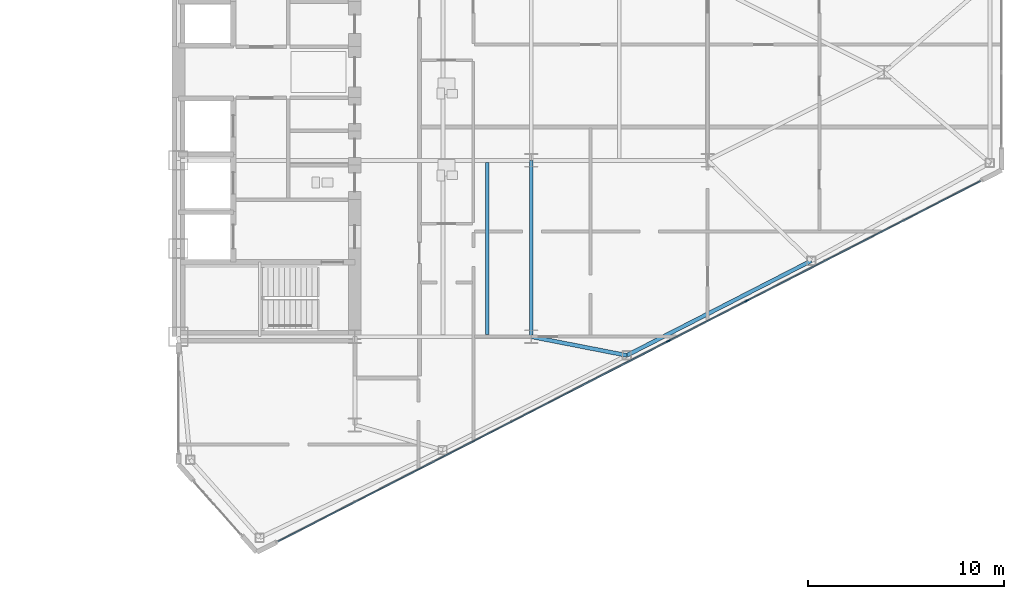
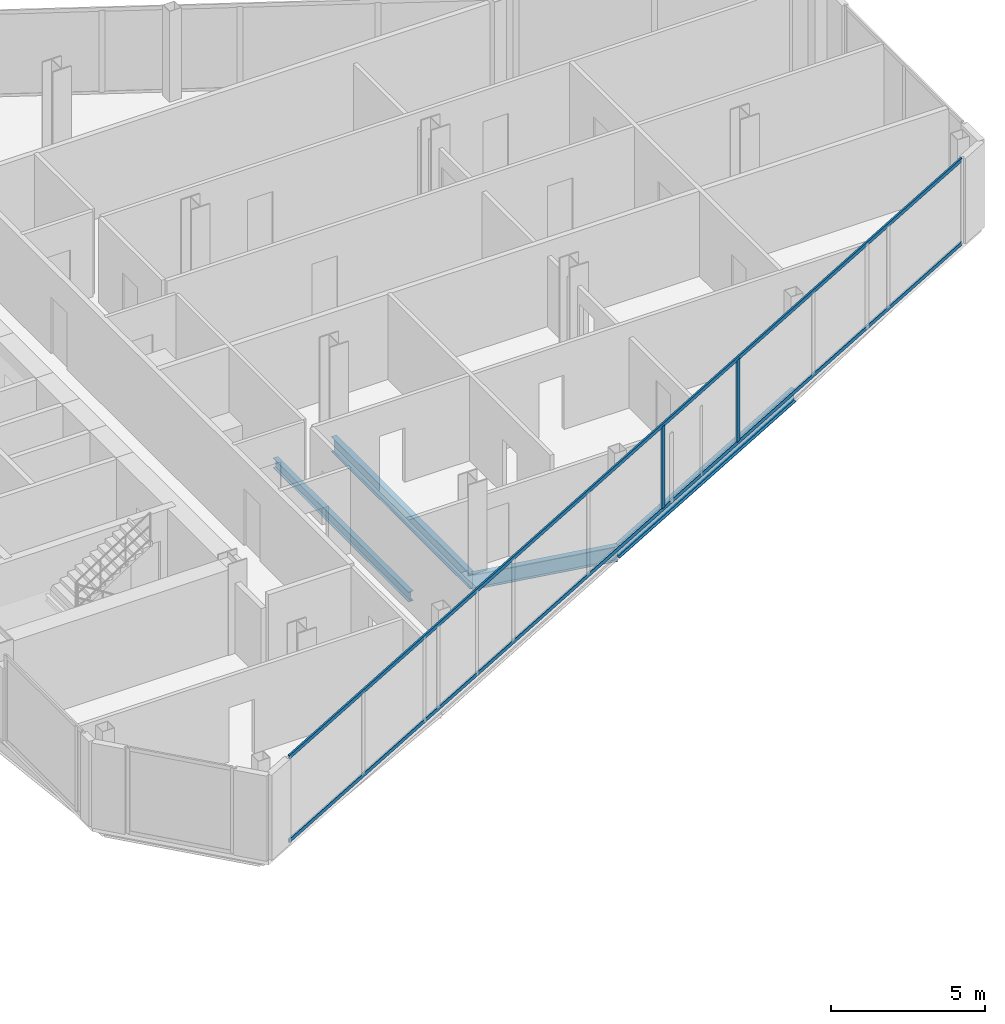
# One storey, part 9 of 24: 4 beams, 4 members, 1 element without a shape of its own.
"""IFC4 building model written with IfcOpenShell, lengths in metres."""

from ifc_helpers import new_model, si_unit, direction, frame, origin, origin_2d, place, context, subcontext, project, spatial, rectangle, i_section, extrude, source, transform, mapped, material, layer, layer_set, material_profile, profile_set, type_object, type_shapes, element, aggregate, save


model = new_model("IFC4")

# Units and contexts
model_context = context("Model", 3, precision=1e-05, world=origin(), true_north=direction((0.0, 1.0)))
body_context = subcontext(model_context, "Body", "Model", "MODEL_VIEW")
ifc_project = project(units=[si_unit("LENGTHUNIT", "METRE"), si_unit("AREAUNIT", "SQUARE_METRE"), si_unit("VOLUMEUNIT", "CUBIC_METRE"), si_unit("PLANEANGLEUNIT", "RADIAN"), si_unit("MASSUNIT", "GRAM", prefix="KILO")], contexts=[model_context])

# Site, building, storey
site_placement = place(None, origin())
site = spatial("IfcSite", under=ifc_project, at=site_placement, CompositionType="ELEMENT")
building_placement = place(site_placement, origin())
building = spatial("IfcBuilding", under=site, at=building_placement, Name="Seokmaru Belvedere", CompositionType="ELEMENT")
storey_placement = place(building_placement, frame((0.0, 0.0, 124.800048828125)))
storey = spatial("IfcBuildingStorey", under=building, at=storey_placement, Name="L33", CompositionType="ELEMENT", Elevation=124.800048828125)

# Beams
ifc_material_1 = material(Name="Steel SM355 (355 MPa)", Category="steel")
ifc_material_profile_1 = material_profile(ifc_material_1, i_section(OverallWidth=0.199951171875, OverallDepth=0.60009765625, WebThickness=0.010986328125, FlangeThickness=0.01708984375, at=origin_2d()), Name="H-600x200x11x17")
ifc_profile_set_1 = profile_set([ifc_material_profile_1], Name="Steel SM355 (355 MPa)")
beam_type_1 = type_object("IfcBeamType", Name="Primary Floor Girder H-600", PredefinedType="BEAM", material=ifc_profile_set_1)
shared_shape_1 = source(origin(), body_context, "Body", "SweptSolid", [
    extrude(i_section(OverallWidth=0.199951171875, OverallDepth=0.60009765625, WebThickness=0.010986328125, FlangeThickness=0.01708984375, at=origin_2d()), origin(), (0.0, 0.0, 1.0), 9.0),
])
beam_1_placement = place(storey_placement, frame((45.5, -13.5, -0.52001953125), z_axis=(0.0, 1.0, 0.0), x_axis=(-1.0, 0.0, 0.0)))
element("IfcBeam", 1, at=beam_1_placement, inside=storey, type_object=beam_type_1, Name="L33 E Interior Grid Girder 1", PredefinedType="BEAM", context=body_context, shape_type="MappedRepresentation", body=[
    mapped(shared_shape_1, transform((0.0, 0.0, 0.0), scale=1.0)),
])
ifc_material_profile_2 = material_profile(ifc_material_1, i_section(OverallWidth=0.18505859375, OverallDepth=0.389892578125, WebThickness=0.008056640625, FlangeThickness=0.011962890625, at=origin_2d()), Name="H-390x185x8x12")
ifc_profile_set_2 = profile_set([ifc_material_profile_2], Name="Steel SM355 (355 MPa)")
beam_type_2 = type_object("IfcBeamType", Name="Secondary Floor Joist H-350", PredefinedType="JOIST", material=ifc_profile_set_2)
shared_shape_2 = source(origin(), body_context, "Body", "SweptSolid", [
    extrude(i_section(OverallWidth=0.18505859375, OverallDepth=0.389892578125, WebThickness=0.008056640625, FlangeThickness=0.011962890625, at=origin_2d()), origin(), (0.0, 0.0, 1.0), 8.7900390625),
])
type_shapes(beam_type_2, [shared_shape_2])
beam_2_placement = place(storey_placement, frame((43.25, -13.39501953125, -0.4150390625), z_axis=(0.0, 1.0, 0.0), x_axis=(-1.0, 0.0, 0.0)))
element("IfcBeam", 2, at=beam_2_placement, inside=storey, type_object=beam_type_2, Name="L33 E Wing Inner Secondary Joist 1", PredefinedType="JOIST", context=body_context, shape_type="MappedRepresentation", body=[
    mapped(shared_shape_2, transform((0.0, 0.0, 0.0), scale=1.0)),
])
ifc_material_profile_3 = material_profile(ifc_material_1, i_section(OverallWidth=0.199951171875, OverallDepth=0.5, WebThickness=0.010009765625, FlangeThickness=0.01611328125, at=origin_2d()), Name="H-500x200x10x16")
ifc_profile_set_3 = profile_set([ifc_material_profile_3], Name="Steel SM355 (355 MPa)")
beam_type_3 = type_object("IfcBeamType", Name="Perimeter Spandrel Beam H-500", PredefinedType="SPANDREL", material=ifc_profile_set_3)
shared_shape_3 = source(origin(), body_context, "Body", "SweptSolid", [
    extrude(i_section(OverallWidth=0.199951171875, OverallDepth=0.5, WebThickness=0.010009765625, FlangeThickness=0.01611328125, at=origin_2d()), origin(), (0.0, 0.0, 1.0), 10.56689453125),
])
type_shapes(beam_type_3, [shared_shape_3])
beam_3_placement = place(storey_placement, frame((50.377197265625, -14.453369140625, -0.469970703125), z_axis=(0.889692588006, 0.456560071455, 0.0), x_axis=(-0.456560071455, 0.889692588006, 0.0)))
element("IfcBeam", 3, at=beam_3_placement, inside=storey, type_object=beam_type_3, Name="L33 E Faceted Flank Spandrel S-3", PredefinedType="SPANDREL", context=body_context, shape_type="MappedRepresentation", body=[
    mapped(shared_shape_3, transform((0.0, 0.0, 0.0), scale=1.0)),
])
shared_shape_4 = source(origin(), body_context, "Body", "SweptSolid", [
    extrude(i_section(OverallWidth=0.199951171875, OverallDepth=0.60009765625, WebThickness=0.010986328125, FlangeThickness=0.01708984375, at=origin_2d()), origin(), (0.0, 0.0, 1.0), 4.969482421875),
])
type_shapes(beam_type_1, [shared_shape_1, shared_shape_4])
beam_4_placement = place(storey_placement, frame((50.377197265625, -14.453369140625, -0.52001953125), z_axis=(-0.98142544456, 0.19184393858, 0.0), x_axis=(-0.19184393858, -0.98142544456, 0.0)))
element("IfcBeam", 4, at=beam_4_placement, inside=storey, type_object=beam_type_1, Name="L33 E Flank Radial Floor Girder S-2", PredefinedType="BEAM", context=body_context, shape_type="MappedRepresentation", body=[
    mapped(shared_shape_4, transform((0.0, 0.0, 0.0), scale=1.0)),
])

# Curtain wall, members
ifc_material_2 = material(Name="Bronze Triple Insulating Glass", Category="glass")
ifc_layer = layer(ifc_material_2, 0.195068359375)
ifc_layer_set = layer_set([ifc_layer], Name="Bronze Triple Insulating Glass")
curtain_wall_type = type_object("IfcCurtainWallType", Name="Sky-Lobby and Mid-Rise Curtain Wall System CW-4", PredefinedType="NOTDEFINED", material=ifc_layer_set)
curtain_wall_placement = place(storey_placement, origin())
curtain_wall = element("IfcCurtainWall", 5, at=curtain_wall_placement, inside=storey, type_object=curtain_wall_type, Name="L33 Curtain Wall EF1", PredefinedType="NOTDEFINED")
ifc_material_3 = material(Name="Anodised Bronze Aluminium", Category="aluminium")
ifc_material_profile_4 = material_profile(ifc_material_3, rectangle(XDim=0.070068359375, YDim=0.195068359375, at=origin_2d()), Name="CW-M-70x195")
ifc_profile_set_4 = profile_set([ifc_material_profile_4], Name="Anodised Bronze Aluminium")
member_type_1 = type_object("IfcMemberType", Name="Bronze Unitised Mullion 70x195", PredefinedType="MULLION", material=ifc_profile_set_4)
shared_shape_5 = source(origin(), body_context, "Body", "SweptSolid", [
    extrude(rectangle(XDim=0.070068359375, YDim=0.195068359375, at=origin_2d()), origin(), (0.0, 0.0, 1.0), 3.25),
])
type_shapes(member_type_1, [shared_shape_5])
member_1_placement = place(storey_placement, frame((52.497314453125, -13.72509765625, 0.06494140625), z_axis=(0.0, 0.0, 1.0), x_axis=(-0.456554528263, 0.889695432562, 0.0)))
member_1 = element("IfcMember", 6, at=member_1_placement, type_object=member_type_1, Name="CW:L33:EF1 Mullion 6", PredefinedType="MULLION", context=body_context, shape_type="MappedRepresentation", body=[
    mapped(shared_shape_5, transform((0.0, 0.0, 0.0), scale=1.0)),
])
member_2_placement = place(storey_placement, frame((56.4921875, -11.675048828125, 0.06494140625), z_axis=(0.0, 0.0, 1.0), x_axis=(-0.456554528263, 0.889695432562, 0.0)))
member_2 = element("IfcMember", 7, at=member_2_placement, type_object=member_type_1, Name="CW:L33:EF1 Mullion 7", PredefinedType="MULLION", context=body_context, shape_type="MappedRepresentation", body=[
    mapped(shared_shape_5, transform((0.0, 0.0, 0.0), scale=1.0)),
])
ifc_material_profile_5 = material_profile(ifc_material_3, rectangle(XDim=0.06494140625, YDim=0.14990234375, at=origin_2d()), Name="CW-T-65x150")
ifc_profile_set_5 = profile_set([ifc_material_profile_5], Name="Anodised Bronze Aluminium")
member_type_2 = type_object("IfcMemberType", Name="Bronze Unitised Transom 65x150", PredefinedType="USERDEFINED", material=ifc_profile_set_5)
shared_shape_6 = source(origin(), body_context, "Body", "SweptSolid", [
    extrude(rectangle(XDim=0.06494140625, YDim=0.14990234375, at=origin_2d()), origin(), (0.0, 0.0, 1.0), 40.271240234375),
])
type_shapes(member_type_2, [shared_shape_6])
member_3_placement = place(storey_placement, frame((32.58544921875, -23.943115234375, 0.032470703125), z_axis=(0.889693089107, 0.456559094965, 0.0), x_axis=(-0.456559094965, 0.889693089107, 0.0)))
member_3 = element("IfcMember", 8, at=member_3_placement, type_object=member_type_2, Name="CW:L33:EF1 Continuous Transom 1", ObjectType="TRANSOM", PredefinedType="USERDEFINED", context=body_context, shape_type="MappedRepresentation", body=[
    mapped(shared_shape_6, transform((0.0, 0.0, 0.0), scale=1.0)),
])
member_4_placement = place(storey_placement, frame((32.58544921875, -23.943115234375, 3.347412109375), z_axis=(0.889693089107, 0.456559094965, 0.0), x_axis=(-0.456559094965, 0.889693089107, 0.0)))
member_4 = element("IfcMember", 9, at=member_4_placement, type_object=member_type_2, Name="CW:L33:EF1 Continuous Transom 2", ObjectType="TRANSOM", PredefinedType="USERDEFINED", context=body_context, shape_type="MappedRepresentation", body=[
    mapped(shared_shape_6, transform((0.0, 0.0, 0.0), scale=1.0)),
])
aggregate(curtain_wall, [member_1, member_2, member_3, member_4])

save(model, "model.ifc")
